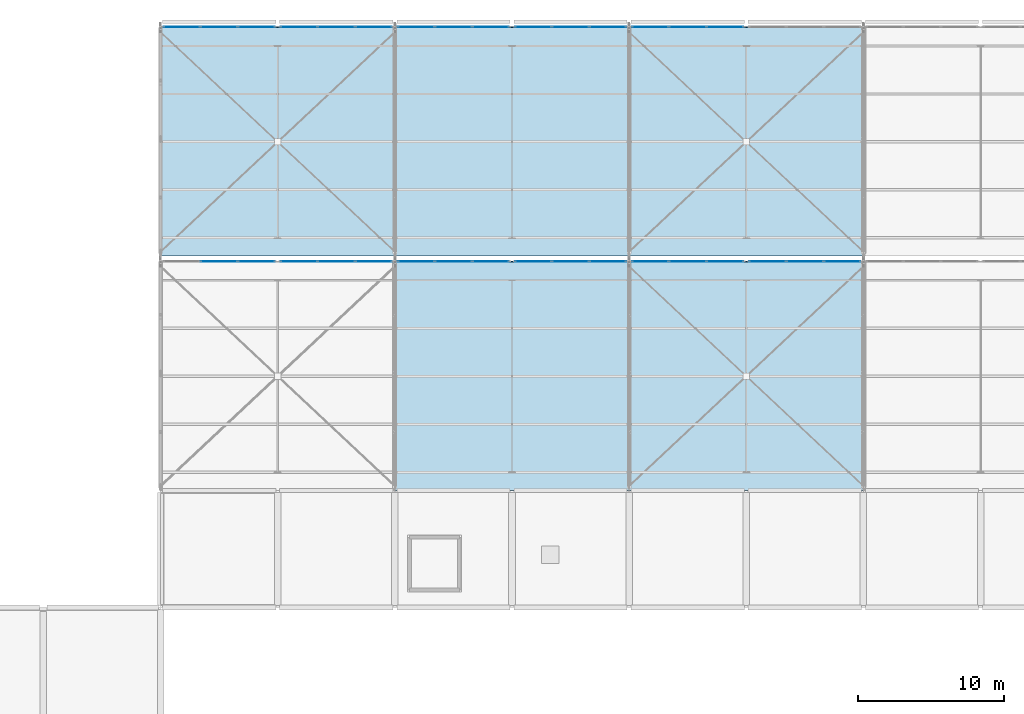
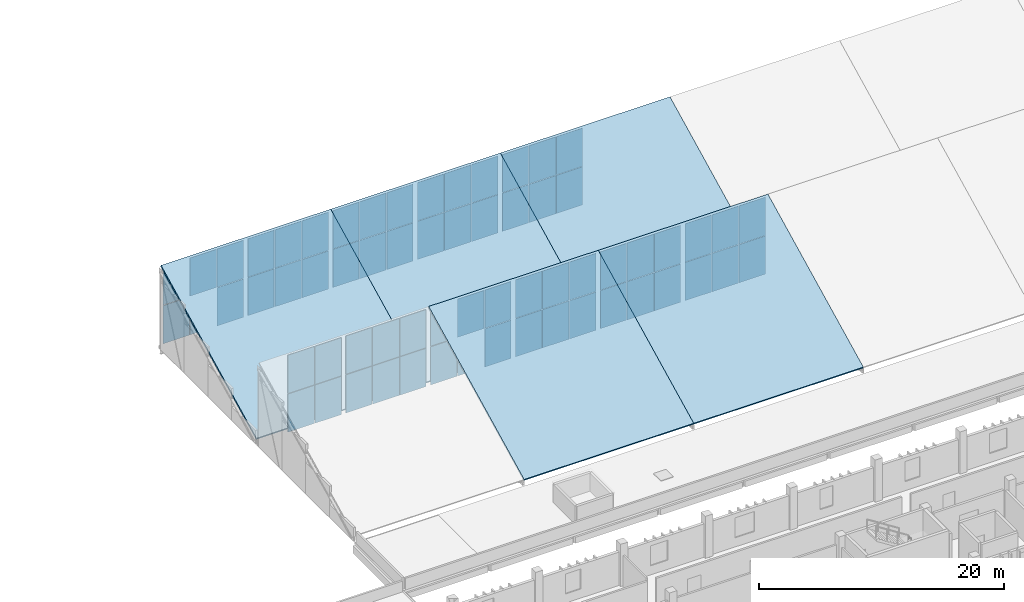
# One storey, part 94 of 137: 64 plates, 5 slabs, 11 elements without a shape of their own.
"""IFC4 building model written with IfcOpenShell, lengths in metres."""

from ifc_helpers import new_model, si_unit, direction, frame, origin, origin_2d, place, context, subcontext, project, spatial, polyline, rectangle, outline, extrude, material, layer, layer_set, type_object, element, aggregate, save


model = new_model("IFC4")

# Units and contexts
model_context = context("Model", 3, precision=1e-05, world=origin(), true_north=direction((0.0, 1.0)))
body_context = subcontext(model_context, "Body", "Model", "MODEL_VIEW")
ifc_project = project(units=[si_unit("LENGTHUNIT", "METRE"), si_unit("AREAUNIT", "SQUARE_METRE"), si_unit("VOLUMEUNIT", "CUBIC_METRE"), si_unit("PLANEANGLEUNIT", "RADIAN"), si_unit("MASSUNIT", "GRAM", prefix="KILO")], contexts=[model_context])

# Site, building, storey
site_placement = place(None, origin())
site = spatial("IfcSite", under=ifc_project, at=site_placement, CompositionType="ELEMENT")
building_placement = place(site_placement, origin())
building = spatial("IfcBuilding", under=site, at=building_placement, Name="Jelvoka-Kovrelna Polytechnic", CompositionType="ELEMENT")
storey_placement = place(building_placement, frame((0.0, 0.0, 9.60009765625)))
storey = spatial("IfcBuildingStorey", under=building, at=storey_placement, Name="L03", CompositionType="ELEMENT", Elevation=9.60009765625)

# Curtain wall, plates
ifc_material_1 = material(Name="Anodised aluminium 6063-T6", Category="aluminium")
ifc_layer_1 = layer(ifc_material_1, 0.199951171875)
ifc_layer_set_1 = layer_set([ifc_layer_1], Name="Anodised aluminium 6063-T6")
curtain_wall_type = type_object("IfcCurtainWallType", Name="CW_Clerestory", PredefinedType="NOTDEFINED", material=ifc_layer_set_1)
curtain_wall_1_placement = place(storey_placement, origin())
curtain_wall_1 = element("IfcCurtainWall", 1, at=curtain_wall_1_placement, inside=storey, type_object=curtain_wall_type, Name="L03 glazed curtain wall 183", PredefinedType="NOTDEFINED")
ifc_material_2 = material(Name="Solar-control double glazing", Category="glass")
ifc_layer_2 = layer(ifc_material_2, 0.035888671875)
ifc_layer_set_2 = layer_set([ifc_layer_2], Name="Solar-control double glazing")
plate_type = type_object("IfcPlateType", Name="Panel_GP-03", PredefinedType="CURTAIN_PANEL", material=ifc_layer_set_2)
plate_1_placement = place(storey_placement, frame((92.0, 103.64990234375, 0.511962890625), z_axis=(0.0, 0.0, 1.0), x_axis=(1.0, 0.0, 0.0)))
plate_1 = element("IfcPlate", 2, at=plate_1_placement, type_object=plate_type, Name="CW-03 panel 2.1", PredefinedType="CURTAIN_PANEL", context=body_context, shape_type="SweptSolid", body=[
    extrude(rectangle(XDim=2.5126953125, YDim=0.035888671875, at=origin_2d()), origin(), (0.0, 0.0, 1.0), 3.81103515625),
])
plate_2_placement = place(storey_placement, frame((92.0, 103.64990234375, 4.376953125), z_axis=(0.0, 0.0, 1.0), x_axis=(1.0, 0.0, 0.0)))
plate_2 = element("IfcPlate", 3, at=plate_2_placement, type_object=plate_type, Name="CW-03 panel 2.2", PredefinedType="CURTAIN_PANEL", context=body_context, shape_type="SweptSolid", body=[
    extrude(rectangle(XDim=2.5126953125, YDim=0.035888671875, at=origin_2d()), origin(), (0.0, 0.0, 1.0), 3.81103515625),
])
plate_3_placement = place(storey_placement, frame((94.549072265625, 103.64990234375, 0.511962890625), z_axis=(0.0, 0.0, 1.0), x_axis=(1.0, 0.0, 0.0)))
plate_3 = element("IfcPlate", 4, at=plate_3_placement, type_object=plate_type, Name="CW-03 panel 3.1", PredefinedType="CURTAIN_PANEL", context=body_context, shape_type="SweptSolid", body=[
    extrude(rectangle(XDim=2.477783203125, YDim=0.035888671875, at=origin_2d()), origin(), (0.0, 0.0, 1.0), 3.81103515625),
])
plate_4_placement = place(storey_placement, frame((94.549072265625, 103.64990234375, 4.376953125), z_axis=(0.0, 0.0, 1.0), x_axis=(1.0, 0.0, 0.0)))
plate_4 = element("IfcPlate", 5, at=plate_4_placement, type_object=plate_type, Name="CW-03 panel 3.2", PredefinedType="CURTAIN_PANEL", context=body_context, shape_type="SweptSolid", body=[
    extrude(rectangle(XDim=2.477783203125, YDim=0.035888671875, at=origin_2d()), origin(), (0.0, 0.0, 1.0), 3.81103515625),
])
aggregate(curtain_wall_1, [plate_1, plate_2, plate_3, plate_4])

curtain_wall_2_placement = place(storey_placement, origin())
curtain_wall_2 = element("IfcCurtainWall", 6, at=curtain_wall_2_placement, inside=storey, type_object=curtain_wall_type, Name="L03 glazed curtain wall 184", PredefinedType="NOTDEFINED")
plate_5_placement = place(storey_placement, frame((89.450927734375, 119.64990234375, 0.511962890625), z_axis=(0.0, 0.0, 1.0), x_axis=(1.0, 0.0, 0.0)))
plate_5 = element("IfcPlate", 7, at=plate_5_placement, type_object=plate_type, Name="CW-03 panel 1.1", PredefinedType="CURTAIN_PANEL", context=body_context, shape_type="SweptSolid", body=[
    extrude(rectangle(XDim=2.477783203125, YDim=0.035888671875, at=origin_2d()), origin(), (0.0, 0.0, 1.0), 3.81103515625),
])
plate_6_placement = place(storey_placement, frame((89.450927734375, 119.64990234375, 4.376953125), z_axis=(0.0, 0.0, 1.0), x_axis=(1.0, 0.0, 0.0)))
plate_6 = element("IfcPlate", 8, at=plate_6_placement, type_object=plate_type, Name="CW-03 panel 1.2", PredefinedType="CURTAIN_PANEL", context=body_context, shape_type="SweptSolid", body=[
    extrude(rectangle(XDim=2.477783203125, YDim=0.035888671875, at=origin_2d()), origin(), (0.0, 0.0, 1.0), 3.81103515625),
])
plate_7_placement = place(storey_placement, frame((92.0, 119.64990234375, 0.511962890625), z_axis=(0.0, 0.0, 1.0), x_axis=(1.0, 0.0, 0.0)))
plate_7 = element("IfcPlate", 9, at=plate_7_placement, type_object=plate_type, Name="CW-03 panel 2.1", PredefinedType="CURTAIN_PANEL", context=body_context, shape_type="SweptSolid", body=[
    extrude(rectangle(XDim=2.5126953125, YDim=0.035888671875, at=origin_2d()), origin(), (0.0, 0.0, 1.0), 3.81103515625),
])
plate_8_placement = place(storey_placement, frame((92.0, 119.64990234375, 4.376953125), z_axis=(0.0, 0.0, 1.0), x_axis=(1.0, 0.0, 0.0)))
plate_8 = element("IfcPlate", 10, at=plate_8_placement, type_object=plate_type, Name="CW-03 panel 2.2", PredefinedType="CURTAIN_PANEL", context=body_context, shape_type="SweptSolid", body=[
    extrude(rectangle(XDim=2.5126953125, YDim=0.035888671875, at=origin_2d()), origin(), (0.0, 0.0, 1.0), 3.81103515625),
])
plate_9_placement = place(storey_placement, frame((94.549072265625, 119.64990234375, 0.511962890625), z_axis=(0.0, 0.0, 1.0), x_axis=(1.0, 0.0, 0.0)))
plate_9 = element("IfcPlate", 11, at=plate_9_placement, type_object=plate_type, Name="CW-03 panel 3.1", PredefinedType="CURTAIN_PANEL", context=body_context, shape_type="SweptSolid", body=[
    extrude(rectangle(XDim=2.477783203125, YDim=0.035888671875, at=origin_2d()), origin(), (0.0, 0.0, 1.0), 3.81103515625),
])
plate_10_placement = place(storey_placement, frame((94.549072265625, 119.64990234375, 4.376953125), z_axis=(0.0, 0.0, 1.0), x_axis=(1.0, 0.0, 0.0)))
plate_10 = element("IfcPlate", 12, at=plate_10_placement, type_object=plate_type, Name="CW-03 panel 3.2", PredefinedType="CURTAIN_PANEL", context=body_context, shape_type="SweptSolid", body=[
    extrude(rectangle(XDim=2.477783203125, YDim=0.035888671875, at=origin_2d()), origin(), (0.0, 0.0, 1.0), 3.81103515625),
])
aggregate(curtain_wall_2, [plate_5, plate_6, plate_7, plate_8, plate_9, plate_10])

curtain_wall_3_placement = place(storey_placement, origin())
curtain_wall_3 = element("IfcCurtainWall", 13, at=curtain_wall_3_placement, inside=storey, type_object=curtain_wall_type, Name="L03 glazed curtain wall 185", PredefinedType="NOTDEFINED")
plate_11_placement = place(storey_placement, frame((97.450927734375, 103.64990234375, 0.511962890625), z_axis=(0.0, 0.0, 1.0), x_axis=(1.0, 0.0, 0.0)))
plate_11 = element("IfcPlate", 14, at=plate_11_placement, type_object=plate_type, Name="CW-03 panel 1.1", PredefinedType="CURTAIN_PANEL", context=body_context, shape_type="SweptSolid", body=[
    extrude(rectangle(XDim=2.477783203125, YDim=0.035888671875, at=origin_2d()), origin(), (0.0, 0.0, 1.0), 3.81103515625),
])
plate_12_placement = place(storey_placement, frame((97.450927734375, 103.64990234375, 4.376953125), z_axis=(0.0, 0.0, 1.0), x_axis=(1.0, 0.0, 0.0)))
plate_12 = element("IfcPlate", 15, at=plate_12_placement, type_object=plate_type, Name="CW-03 panel 1.2", PredefinedType="CURTAIN_PANEL", context=body_context, shape_type="SweptSolid", body=[
    extrude(rectangle(XDim=2.477783203125, YDim=0.035888671875, at=origin_2d()), origin(), (0.0, 0.0, 1.0), 3.81103515625),
])
plate_13_placement = place(storey_placement, frame((100.0, 103.64990234375, 0.511962890625), z_axis=(0.0, 0.0, 1.0), x_axis=(1.0, 0.0, 0.0)))
plate_13 = element("IfcPlate", 16, at=plate_13_placement, type_object=plate_type, Name="CW-03 panel 2.1", PredefinedType="CURTAIN_PANEL", context=body_context, shape_type="SweptSolid", body=[
    extrude(rectangle(XDim=2.5126953125, YDim=0.035888671875, at=origin_2d()), origin(), (0.0, 0.0, 1.0), 3.81103515625),
])
plate_14_placement = place(storey_placement, frame((100.0, 103.64990234375, 4.376953125), z_axis=(0.0, 0.0, 1.0), x_axis=(1.0, 0.0, 0.0)))
plate_14 = element("IfcPlate", 17, at=plate_14_placement, type_object=plate_type, Name="CW-03 panel 2.2", PredefinedType="CURTAIN_PANEL", context=body_context, shape_type="SweptSolid", body=[
    extrude(rectangle(XDim=2.5126953125, YDim=0.035888671875, at=origin_2d()), origin(), (0.0, 0.0, 1.0), 3.81103515625),
])
plate_15_placement = place(storey_placement, frame((102.549072265625, 103.64990234375, 0.511962890625), z_axis=(0.0, 0.0, 1.0), x_axis=(1.0, 0.0, 0.0)))
plate_15 = element("IfcPlate", 18, at=plate_15_placement, type_object=plate_type, Name="CW-03 panel 3.1", PredefinedType="CURTAIN_PANEL", context=body_context, shape_type="SweptSolid", body=[
    extrude(rectangle(XDim=2.477783203125, YDim=0.035888671875, at=origin_2d()), origin(), (0.0, 0.0, 1.0), 3.81103515625),
])
plate_16_placement = place(storey_placement, frame((102.549072265625, 103.64990234375, 4.376953125), z_axis=(0.0, 0.0, 1.0), x_axis=(1.0, 0.0, 0.0)))
plate_16 = element("IfcPlate", 19, at=plate_16_placement, type_object=plate_type, Name="CW-03 panel 3.2", PredefinedType="CURTAIN_PANEL", context=body_context, shape_type="SweptSolid", body=[
    extrude(rectangle(XDim=2.477783203125, YDim=0.035888671875, at=origin_2d()), origin(), (0.0, 0.0, 1.0), 3.81103515625),
])
aggregate(curtain_wall_3, [plate_11, plate_12, plate_13, plate_14, plate_15, plate_16])

curtain_wall_4_placement = place(storey_placement, origin())
curtain_wall_4 = element("IfcCurtainWall", 20, at=curtain_wall_4_placement, inside=storey, type_object=curtain_wall_type, Name="L03 glazed curtain wall 186", PredefinedType="NOTDEFINED")
plate_17_placement = place(storey_placement, frame((97.450927734375, 119.64990234375, 0.511962890625), z_axis=(0.0, 0.0, 1.0), x_axis=(1.0, 0.0, 0.0)))
plate_17 = element("IfcPlate", 21, at=plate_17_placement, type_object=plate_type, Name="CW-03 panel 1.1", PredefinedType="CURTAIN_PANEL", context=body_context, shape_type="SweptSolid", body=[
    extrude(rectangle(XDim=2.477783203125, YDim=0.035888671875, at=origin_2d()), origin(), (0.0, 0.0, 1.0), 3.81103515625),
])
plate_18_placement = place(storey_placement, frame((97.450927734375, 119.64990234375, 4.376953125), z_axis=(0.0, 0.0, 1.0), x_axis=(1.0, 0.0, 0.0)))
plate_18 = element("IfcPlate", 22, at=plate_18_placement, type_object=plate_type, Name="CW-03 panel 1.2", PredefinedType="CURTAIN_PANEL", context=body_context, shape_type="SweptSolid", body=[
    extrude(rectangle(XDim=2.477783203125, YDim=0.035888671875, at=origin_2d()), origin(), (0.0, 0.0, 1.0), 3.81103515625),
])
plate_19_placement = place(storey_placement, frame((100.0, 119.64990234375, 0.511962890625), z_axis=(0.0, 0.0, 1.0), x_axis=(1.0, 0.0, 0.0)))
plate_19 = element("IfcPlate", 23, at=plate_19_placement, type_object=plate_type, Name="CW-03 panel 2.1", PredefinedType="CURTAIN_PANEL", context=body_context, shape_type="SweptSolid", body=[
    extrude(rectangle(XDim=2.5126953125, YDim=0.035888671875, at=origin_2d()), origin(), (0.0, 0.0, 1.0), 3.81103515625),
])
plate_20_placement = place(storey_placement, frame((100.0, 119.64990234375, 4.376953125), z_axis=(0.0, 0.0, 1.0), x_axis=(1.0, 0.0, 0.0)))
plate_20 = element("IfcPlate", 24, at=plate_20_placement, type_object=plate_type, Name="CW-03 panel 2.2", PredefinedType="CURTAIN_PANEL", context=body_context, shape_type="SweptSolid", body=[
    extrude(rectangle(XDim=2.5126953125, YDim=0.035888671875, at=origin_2d()), origin(), (0.0, 0.0, 1.0), 3.81103515625),
])
plate_21_placement = place(storey_placement, frame((102.549072265625, 119.64990234375, 0.511962890625), z_axis=(0.0, 0.0, 1.0), x_axis=(1.0, 0.0, 0.0)))
plate_21 = element("IfcPlate", 25, at=plate_21_placement, type_object=plate_type, Name="CW-03 panel 3.1", PredefinedType="CURTAIN_PANEL", context=body_context, shape_type="SweptSolid", body=[
    extrude(rectangle(XDim=2.477783203125, YDim=0.035888671875, at=origin_2d()), origin(), (0.0, 0.0, 1.0), 3.81103515625),
])
plate_22_placement = place(storey_placement, frame((102.549072265625, 119.64990234375, 4.376953125), z_axis=(0.0, 0.0, 1.0), x_axis=(1.0, 0.0, 0.0)))
plate_22 = element("IfcPlate", 26, at=plate_22_placement, type_object=plate_type, Name="CW-03 panel 3.2", PredefinedType="CURTAIN_PANEL", context=body_context, shape_type="SweptSolid", body=[
    extrude(rectangle(XDim=2.477783203125, YDim=0.035888671875, at=origin_2d()), origin(), (0.0, 0.0, 1.0), 3.81103515625),
])
aggregate(curtain_wall_4, [plate_17, plate_18, plate_19, plate_20, plate_21, plate_22])

curtain_wall_5_placement = place(storey_placement, origin())
curtain_wall_5 = element("IfcCurtainWall", 27, at=curtain_wall_5_placement, inside=storey, type_object=curtain_wall_type, Name="L03 glazed curtain wall 187", PredefinedType="NOTDEFINED")
plate_23_placement = place(storey_placement, frame((105.450927734375, 103.64990234375, 0.511962890625), z_axis=(0.0, 0.0, 1.0), x_axis=(1.0, 0.0, 0.0)))
plate_23 = element("IfcPlate", 28, at=plate_23_placement, type_object=plate_type, Name="CW-03 panel 1.1", PredefinedType="CURTAIN_PANEL", context=body_context, shape_type="SweptSolid", body=[
    extrude(rectangle(XDim=2.477783203125, YDim=0.035888671875, at=origin_2d()), origin(), (0.0, 0.0, 1.0), 3.81103515625),
])
plate_24_placement = place(storey_placement, frame((105.450927734375, 103.64990234375, 4.376953125), z_axis=(0.0, 0.0, 1.0), x_axis=(1.0, 0.0, 0.0)))
plate_24 = element("IfcPlate", 29, at=plate_24_placement, type_object=plate_type, Name="CW-03 panel 1.2", PredefinedType="CURTAIN_PANEL", context=body_context, shape_type="SweptSolid", body=[
    extrude(rectangle(XDim=2.477783203125, YDim=0.035888671875, at=origin_2d()), origin(), (0.0, 0.0, 1.0), 3.81103515625),
])
plate_25_placement = place(storey_placement, frame((108.0, 103.64990234375, 0.511962890625), z_axis=(0.0, 0.0, 1.0), x_axis=(1.0, 0.0, 0.0)))
plate_25 = element("IfcPlate", 30, at=plate_25_placement, type_object=plate_type, Name="CW-03 panel 2.1", PredefinedType="CURTAIN_PANEL", context=body_context, shape_type="SweptSolid", body=[
    extrude(rectangle(XDim=2.5126953125, YDim=0.035888671875, at=origin_2d()), origin(), (0.0, 0.0, 1.0), 3.81103515625),
])
plate_26_placement = place(storey_placement, frame((108.0, 103.64990234375, 4.376953125), z_axis=(0.0, 0.0, 1.0), x_axis=(1.0, 0.0, 0.0)))
plate_26 = element("IfcPlate", 31, at=plate_26_placement, type_object=plate_type, Name="CW-03 panel 2.2", PredefinedType="CURTAIN_PANEL", context=body_context, shape_type="SweptSolid", body=[
    extrude(rectangle(XDim=2.5126953125, YDim=0.035888671875, at=origin_2d()), origin(), (0.0, 0.0, 1.0), 3.81103515625),
])
plate_27_placement = place(storey_placement, frame((110.549072265625, 103.64990234375, 0.511962890625), z_axis=(0.0, 0.0, 1.0), x_axis=(1.0, 0.0, 0.0)))
plate_27 = element("IfcPlate", 32, at=plate_27_placement, type_object=plate_type, Name="CW-03 panel 3.1", PredefinedType="CURTAIN_PANEL", context=body_context, shape_type="SweptSolid", body=[
    extrude(rectangle(XDim=2.477783203125, YDim=0.035888671875, at=origin_2d()), origin(), (0.0, 0.0, 1.0), 3.81103515625),
])
plate_28_placement = place(storey_placement, frame((110.549072265625, 103.64990234375, 4.376953125), z_axis=(0.0, 0.0, 1.0), x_axis=(1.0, 0.0, 0.0)))
plate_28 = element("IfcPlate", 33, at=plate_28_placement, type_object=plate_type, Name="CW-03 panel 3.2", PredefinedType="CURTAIN_PANEL", context=body_context, shape_type="SweptSolid", body=[
    extrude(rectangle(XDim=2.477783203125, YDim=0.035888671875, at=origin_2d()), origin(), (0.0, 0.0, 1.0), 3.81103515625),
])
aggregate(curtain_wall_5, [plate_23, plate_24, plate_25, plate_26, plate_27, plate_28])

curtain_wall_6_placement = place(storey_placement, origin())
curtain_wall_6 = element("IfcCurtainWall", 34, at=curtain_wall_6_placement, inside=storey, type_object=curtain_wall_type, Name="L03 glazed curtain wall 188", PredefinedType="NOTDEFINED")
plate_29_placement = place(storey_placement, frame((105.450927734375, 119.64990234375, 0.511962890625), z_axis=(0.0, 0.0, 1.0), x_axis=(1.0, 0.0, 0.0)))
plate_29 = element("IfcPlate", 35, at=plate_29_placement, type_object=plate_type, Name="CW-03 panel 1.1", PredefinedType="CURTAIN_PANEL", context=body_context, shape_type="SweptSolid", body=[
    extrude(rectangle(XDim=2.477783203125, YDim=0.035888671875, at=origin_2d()), origin(), (0.0, 0.0, 1.0), 3.81103515625),
])
plate_30_placement = place(storey_placement, frame((105.450927734375, 119.64990234375, 4.376953125), z_axis=(0.0, 0.0, 1.0), x_axis=(1.0, 0.0, 0.0)))
plate_30 = element("IfcPlate", 36, at=plate_30_placement, type_object=plate_type, Name="CW-03 panel 1.2", PredefinedType="CURTAIN_PANEL", context=body_context, shape_type="SweptSolid", body=[
    extrude(rectangle(XDim=2.477783203125, YDim=0.035888671875, at=origin_2d()), origin(), (0.0, 0.0, 1.0), 3.81103515625),
])
plate_31_placement = place(storey_placement, frame((108.0, 119.64990234375, 0.511962890625), z_axis=(0.0, 0.0, 1.0), x_axis=(1.0, 0.0, 0.0)))
plate_31 = element("IfcPlate", 37, at=plate_31_placement, type_object=plate_type, Name="CW-03 panel 2.1", PredefinedType="CURTAIN_PANEL", context=body_context, shape_type="SweptSolid", body=[
    extrude(rectangle(XDim=2.5126953125, YDim=0.035888671875, at=origin_2d()), origin(), (0.0, 0.0, 1.0), 3.81103515625),
])
plate_32_placement = place(storey_placement, frame((108.0, 119.64990234375, 4.376953125), z_axis=(0.0, 0.0, 1.0), x_axis=(1.0, 0.0, 0.0)))
plate_32 = element("IfcPlate", 38, at=plate_32_placement, type_object=plate_type, Name="CW-03 panel 2.2", PredefinedType="CURTAIN_PANEL", context=body_context, shape_type="SweptSolid", body=[
    extrude(rectangle(XDim=2.5126953125, YDim=0.035888671875, at=origin_2d()), origin(), (0.0, 0.0, 1.0), 3.81103515625),
])
plate_33_placement = place(storey_placement, frame((110.549072265625, 119.64990234375, 0.511962890625), z_axis=(0.0, 0.0, 1.0), x_axis=(1.0, 0.0, 0.0)))
plate_33 = element("IfcPlate", 39, at=plate_33_placement, type_object=plate_type, Name="CW-03 panel 3.1", PredefinedType="CURTAIN_PANEL", context=body_context, shape_type="SweptSolid", body=[
    extrude(rectangle(XDim=2.477783203125, YDim=0.035888671875, at=origin_2d()), origin(), (0.0, 0.0, 1.0), 3.81103515625),
])
plate_34_placement = place(storey_placement, frame((110.549072265625, 119.64990234375, 4.376953125), z_axis=(0.0, 0.0, 1.0), x_axis=(1.0, 0.0, 0.0)))
plate_34 = element("IfcPlate", 40, at=plate_34_placement, type_object=plate_type, Name="CW-03 panel 3.2", PredefinedType="CURTAIN_PANEL", context=body_context, shape_type="SweptSolid", body=[
    extrude(rectangle(XDim=2.477783203125, YDim=0.035888671875, at=origin_2d()), origin(), (0.0, 0.0, 1.0), 3.81103515625),
])
aggregate(curtain_wall_6, [plate_29, plate_30, plate_31, plate_32, plate_33, plate_34])

curtain_wall_7_placement = place(storey_placement, origin())
curtain_wall_7 = element("IfcCurtainWall", 41, at=curtain_wall_7_placement, inside=storey, type_object=curtain_wall_type, Name="L03 glazed curtain wall 189", PredefinedType="NOTDEFINED")
plate_35_placement = place(storey_placement, frame((113.450927734375, 103.64990234375, 0.511962890625), z_axis=(0.0, 0.0, 1.0), x_axis=(1.0, 0.0, 0.0)))
plate_35 = element("IfcPlate", 42, at=plate_35_placement, type_object=plate_type, Name="CW-03 panel 1.1", PredefinedType="CURTAIN_PANEL", context=body_context, shape_type="SweptSolid", body=[
    extrude(rectangle(XDim=2.477783203125, YDim=0.035888671875, at=origin_2d()), origin(), (0.0, 0.0, 1.0), 3.81103515625),
])
plate_36_placement = place(storey_placement, frame((113.450927734375, 103.64990234375, 4.376953125), z_axis=(0.0, 0.0, 1.0), x_axis=(1.0, 0.0, 0.0)))
plate_36 = element("IfcPlate", 43, at=plate_36_placement, type_object=plate_type, Name="CW-03 panel 1.2", PredefinedType="CURTAIN_PANEL", context=body_context, shape_type="SweptSolid", body=[
    extrude(rectangle(XDim=2.477783203125, YDim=0.035888671875, at=origin_2d()), origin(), (0.0, 0.0, 1.0), 3.81103515625),
])
plate_37_placement = place(storey_placement, frame((116.0, 103.64990234375, 0.511962890625), z_axis=(0.0, 0.0, 1.0), x_axis=(1.0, 0.0, 0.0)))
plate_37 = element("IfcPlate", 44, at=plate_37_placement, type_object=plate_type, Name="CW-03 panel 2.1", PredefinedType="CURTAIN_PANEL", context=body_context, shape_type="SweptSolid", body=[
    extrude(rectangle(XDim=2.5126953125, YDim=0.035888671875, at=origin_2d()), origin(), (0.0, 0.0, 1.0), 3.81103515625),
])
plate_38_placement = place(storey_placement, frame((116.0, 103.64990234375, 4.376953125), z_axis=(0.0, 0.0, 1.0), x_axis=(1.0, 0.0, 0.0)))
plate_38 = element("IfcPlate", 45, at=plate_38_placement, type_object=plate_type, Name="CW-03 panel 2.2", PredefinedType="CURTAIN_PANEL", context=body_context, shape_type="SweptSolid", body=[
    extrude(rectangle(XDim=2.5126953125, YDim=0.035888671875, at=origin_2d()), origin(), (0.0, 0.0, 1.0), 3.81103515625),
])
plate_39_placement = place(storey_placement, frame((118.549072265625, 103.64990234375, 0.511962890625), z_axis=(0.0, 0.0, 1.0), x_axis=(1.0, 0.0, 0.0)))
plate_39 = element("IfcPlate", 46, at=plate_39_placement, type_object=plate_type, Name="CW-03 panel 3.1", PredefinedType="CURTAIN_PANEL", context=body_context, shape_type="SweptSolid", body=[
    extrude(rectangle(XDim=2.477783203125, YDim=0.035888671875, at=origin_2d()), origin(), (0.0, 0.0, 1.0), 3.81103515625),
])
plate_40_placement = place(storey_placement, frame((118.549072265625, 103.64990234375, 4.376953125), z_axis=(0.0, 0.0, 1.0), x_axis=(1.0, 0.0, 0.0)))
plate_40 = element("IfcPlate", 47, at=plate_40_placement, type_object=plate_type, Name="CW-03 panel 3.2", PredefinedType="CURTAIN_PANEL", context=body_context, shape_type="SweptSolid", body=[
    extrude(rectangle(XDim=2.477783203125, YDim=0.035888671875, at=origin_2d()), origin(), (0.0, 0.0, 1.0), 3.81103515625),
])
aggregate(curtain_wall_7, [plate_35, plate_36, plate_37, plate_38, plate_39, plate_40])

curtain_wall_8_placement = place(storey_placement, origin())
curtain_wall_8 = element("IfcCurtainWall", 48, at=curtain_wall_8_placement, inside=storey, type_object=curtain_wall_type, Name="L03 glazed curtain wall 190", PredefinedType="NOTDEFINED")
plate_41_placement = place(storey_placement, frame((113.450927734375, 119.64990234375, 0.511962890625), z_axis=(0.0, 0.0, 1.0), x_axis=(1.0, 0.0, 0.0)))
plate_41 = element("IfcPlate", 49, at=plate_41_placement, type_object=plate_type, Name="CW-03 panel 1.1", PredefinedType="CURTAIN_PANEL", context=body_context, shape_type="SweptSolid", body=[
    extrude(rectangle(XDim=2.477783203125, YDim=0.035888671875, at=origin_2d()), origin(), (0.0, 0.0, 1.0), 3.81103515625),
])
plate_42_placement = place(storey_placement, frame((113.450927734375, 119.64990234375, 4.376953125), z_axis=(0.0, 0.0, 1.0), x_axis=(1.0, 0.0, 0.0)))
plate_42 = element("IfcPlate", 50, at=plate_42_placement, type_object=plate_type, Name="CW-03 panel 1.2", PredefinedType="CURTAIN_PANEL", context=body_context, shape_type="SweptSolid", body=[
    extrude(rectangle(XDim=2.477783203125, YDim=0.035888671875, at=origin_2d()), origin(), (0.0, 0.0, 1.0), 3.81103515625),
])
plate_43_placement = place(storey_placement, frame((116.0, 119.64990234375, 0.511962890625), z_axis=(0.0, 0.0, 1.0), x_axis=(1.0, 0.0, 0.0)))
plate_43 = element("IfcPlate", 51, at=plate_43_placement, type_object=plate_type, Name="CW-03 panel 2.1", PredefinedType="CURTAIN_PANEL", context=body_context, shape_type="SweptSolid", body=[
    extrude(rectangle(XDim=2.5126953125, YDim=0.035888671875, at=origin_2d()), origin(), (0.0, 0.0, 1.0), 3.81103515625),
])
plate_44_placement = place(storey_placement, frame((116.0, 119.64990234375, 4.376953125), z_axis=(0.0, 0.0, 1.0), x_axis=(1.0, 0.0, 0.0)))
plate_44 = element("IfcPlate", 52, at=plate_44_placement, type_object=plate_type, Name="CW-03 panel 2.2", PredefinedType="CURTAIN_PANEL", context=body_context, shape_type="SweptSolid", body=[
    extrude(rectangle(XDim=2.5126953125, YDim=0.035888671875, at=origin_2d()), origin(), (0.0, 0.0, 1.0), 3.81103515625),
])
plate_45_placement = place(storey_placement, frame((118.549072265625, 119.64990234375, 0.511962890625), z_axis=(0.0, 0.0, 1.0), x_axis=(1.0, 0.0, 0.0)))
plate_45 = element("IfcPlate", 53, at=plate_45_placement, type_object=plate_type, Name="CW-03 panel 3.1", PredefinedType="CURTAIN_PANEL", context=body_context, shape_type="SweptSolid", body=[
    extrude(rectangle(XDim=2.477783203125, YDim=0.035888671875, at=origin_2d()), origin(), (0.0, 0.0, 1.0), 3.81103515625),
])
plate_46_placement = place(storey_placement, frame((118.549072265625, 119.64990234375, 4.376953125), z_axis=(0.0, 0.0, 1.0), x_axis=(1.0, 0.0, 0.0)))
plate_46 = element("IfcPlate", 54, at=plate_46_placement, type_object=plate_type, Name="CW-03 panel 3.2", PredefinedType="CURTAIN_PANEL", context=body_context, shape_type="SweptSolid", body=[
    extrude(rectangle(XDim=2.477783203125, YDim=0.035888671875, at=origin_2d()), origin(), (0.0, 0.0, 1.0), 3.81103515625),
])
aggregate(curtain_wall_8, [plate_41, plate_42, plate_43, plate_44, plate_45, plate_46])

curtain_wall_9_placement = place(storey_placement, origin())
curtain_wall_9 = element("IfcCurtainWall", 55, at=curtain_wall_9_placement, inside=storey, type_object=curtain_wall_type, Name="L03 glazed curtain wall 191", PredefinedType="NOTDEFINED")
plate_47_placement = place(storey_placement, frame((121.450927734375, 103.64990234375, 0.511962890625), z_axis=(0.0, 0.0, 1.0), x_axis=(1.0, 0.0, 0.0)))
plate_47 = element("IfcPlate", 56, at=plate_47_placement, type_object=plate_type, Name="CW-03 panel 1.1", PredefinedType="CURTAIN_PANEL", context=body_context, shape_type="SweptSolid", body=[
    extrude(rectangle(XDim=2.477783203125, YDim=0.035888671875, at=origin_2d()), origin(), (0.0, 0.0, 1.0), 3.81103515625),
])
plate_48_placement = place(storey_placement, frame((121.450927734375, 103.64990234375, 4.376953125), z_axis=(0.0, 0.0, 1.0), x_axis=(1.0, 0.0, 0.0)))
plate_48 = element("IfcPlate", 57, at=plate_48_placement, type_object=plate_type, Name="CW-03 panel 1.2", PredefinedType="CURTAIN_PANEL", context=body_context, shape_type="SweptSolid", body=[
    extrude(rectangle(XDim=2.477783203125, YDim=0.035888671875, at=origin_2d()), origin(), (0.0, 0.0, 1.0), 3.81103515625),
])
plate_49_placement = place(storey_placement, frame((124.0, 103.64990234375, 0.511962890625), z_axis=(0.0, 0.0, 1.0), x_axis=(1.0, 0.0, 0.0)))
plate_49 = element("IfcPlate", 58, at=plate_49_placement, type_object=plate_type, Name="CW-03 panel 2.1", PredefinedType="CURTAIN_PANEL", context=body_context, shape_type="SweptSolid", body=[
    extrude(rectangle(XDim=2.5126953125, YDim=0.035888671875, at=origin_2d()), origin(), (0.0, 0.0, 1.0), 3.81103515625),
])
plate_50_placement = place(storey_placement, frame((124.0, 103.64990234375, 4.376953125), z_axis=(0.0, 0.0, 1.0), x_axis=(1.0, 0.0, 0.0)))
plate_50 = element("IfcPlate", 59, at=plate_50_placement, type_object=plate_type, Name="CW-03 panel 2.2", PredefinedType="CURTAIN_PANEL", context=body_context, shape_type="SweptSolid", body=[
    extrude(rectangle(XDim=2.5126953125, YDim=0.035888671875, at=origin_2d()), origin(), (0.0, 0.0, 1.0), 3.81103515625),
])
plate_51_placement = place(storey_placement, frame((126.549072265625, 103.64990234375, 0.511962890625), z_axis=(0.0, 0.0, 1.0), x_axis=(1.0, 0.0, 0.0)))
plate_51 = element("IfcPlate", 60, at=plate_51_placement, type_object=plate_type, Name="CW-03 panel 3.1", PredefinedType="CURTAIN_PANEL", context=body_context, shape_type="SweptSolid", body=[
    extrude(rectangle(XDim=2.477783203125, YDim=0.035888671875, at=origin_2d()), origin(), (0.0, 0.0, 1.0), 3.81103515625),
])
plate_52_placement = place(storey_placement, frame((126.549072265625, 103.64990234375, 4.376953125), z_axis=(0.0, 0.0, 1.0), x_axis=(1.0, 0.0, 0.0)))
plate_52 = element("IfcPlate", 61, at=plate_52_placement, type_object=plate_type, Name="CW-03 panel 3.2", PredefinedType="CURTAIN_PANEL", context=body_context, shape_type="SweptSolid", body=[
    extrude(rectangle(XDim=2.477783203125, YDim=0.035888671875, at=origin_2d()), origin(), (0.0, 0.0, 1.0), 3.81103515625),
])
aggregate(curtain_wall_9, [plate_47, plate_48, plate_49, plate_50, plate_51, plate_52])

curtain_wall_10_placement = place(storey_placement, origin())
curtain_wall_10 = element("IfcCurtainWall", 62, at=curtain_wall_10_placement, inside=storey, type_object=curtain_wall_type, Name="L03 glazed curtain wall 192", PredefinedType="NOTDEFINED")
plate_53_placement = place(storey_placement, frame((121.450927734375, 119.64990234375, 0.511962890625), z_axis=(0.0, 0.0, 1.0), x_axis=(1.0, 0.0, 0.0)))
plate_53 = element("IfcPlate", 63, at=plate_53_placement, type_object=plate_type, Name="CW-03 panel 1.1", PredefinedType="CURTAIN_PANEL", context=body_context, shape_type="SweptSolid", body=[
    extrude(rectangle(XDim=2.477783203125, YDim=0.035888671875, at=origin_2d()), origin(), (0.0, 0.0, 1.0), 3.81103515625),
])
plate_54_placement = place(storey_placement, frame((121.450927734375, 119.64990234375, 4.376953125), z_axis=(0.0, 0.0, 1.0), x_axis=(1.0, 0.0, 0.0)))
plate_54 = element("IfcPlate", 64, at=plate_54_placement, type_object=plate_type, Name="CW-03 panel 1.2", PredefinedType="CURTAIN_PANEL", context=body_context, shape_type="SweptSolid", body=[
    extrude(rectangle(XDim=2.477783203125, YDim=0.035888671875, at=origin_2d()), origin(), (0.0, 0.0, 1.0), 3.81103515625),
])
plate_55_placement = place(storey_placement, frame((124.0, 119.64990234375, 0.511962890625), z_axis=(0.0, 0.0, 1.0), x_axis=(1.0, 0.0, 0.0)))
plate_55 = element("IfcPlate", 65, at=plate_55_placement, type_object=plate_type, Name="CW-03 panel 2.1", PredefinedType="CURTAIN_PANEL", context=body_context, shape_type="SweptSolid", body=[
    extrude(rectangle(XDim=2.5126953125, YDim=0.035888671875, at=origin_2d()), origin(), (0.0, 0.0, 1.0), 3.81103515625),
])
plate_56_placement = place(storey_placement, frame((124.0, 119.64990234375, 4.376953125), z_axis=(0.0, 0.0, 1.0), x_axis=(1.0, 0.0, 0.0)))
plate_56 = element("IfcPlate", 66, at=plate_56_placement, type_object=plate_type, Name="CW-03 panel 2.2", PredefinedType="CURTAIN_PANEL", context=body_context, shape_type="SweptSolid", body=[
    extrude(rectangle(XDim=2.5126953125, YDim=0.035888671875, at=origin_2d()), origin(), (0.0, 0.0, 1.0), 3.81103515625),
])
plate_57_placement = place(storey_placement, frame((126.549072265625, 119.64990234375, 0.511962890625), z_axis=(0.0, 0.0, 1.0), x_axis=(1.0, 0.0, 0.0)))
plate_57 = element("IfcPlate", 67, at=plate_57_placement, type_object=plate_type, Name="CW-03 panel 3.1", PredefinedType="CURTAIN_PANEL", context=body_context, shape_type="SweptSolid", body=[
    extrude(rectangle(XDim=2.477783203125, YDim=0.035888671875, at=origin_2d()), origin(), (0.0, 0.0, 1.0), 3.81103515625),
])
plate_58_placement = place(storey_placement, frame((126.549072265625, 119.64990234375, 4.376953125), z_axis=(0.0, 0.0, 1.0), x_axis=(1.0, 0.0, 0.0)))
plate_58 = element("IfcPlate", 68, at=plate_58_placement, type_object=plate_type, Name="CW-03 panel 3.2", PredefinedType="CURTAIN_PANEL", context=body_context, shape_type="SweptSolid", body=[
    extrude(rectangle(XDim=2.477783203125, YDim=0.035888671875, at=origin_2d()), origin(), (0.0, 0.0, 1.0), 3.81103515625),
])
aggregate(curtain_wall_10, [plate_53, plate_54, plate_55, plate_56, plate_57, plate_58])

curtain_wall_11_placement = place(storey_placement, origin())
curtain_wall_11 = element("IfcCurtainWall", 69, at=curtain_wall_11_placement, inside=storey, type_object=curtain_wall_type, Name="L03 glazed curtain wall 193", PredefinedType="NOTDEFINED")
plate_59_placement = place(storey_placement, frame((129.450927734375, 103.64990234375, 0.511962890625), z_axis=(0.0, 0.0, 1.0), x_axis=(1.0, 0.0, 0.0)))
plate_59 = element("IfcPlate", 70, at=plate_59_placement, type_object=plate_type, Name="CW-03 panel 1.1", PredefinedType="CURTAIN_PANEL", context=body_context, shape_type="SweptSolid", body=[
    extrude(rectangle(XDim=2.477783203125, YDim=0.035888671875, at=origin_2d()), origin(), (0.0, 0.0, 1.0), 3.81103515625),
])
plate_60_placement = place(storey_placement, frame((129.450927734375, 103.64990234375, 4.376953125), z_axis=(0.0, 0.0, 1.0), x_axis=(1.0, 0.0, 0.0)))
plate_60 = element("IfcPlate", 71, at=plate_60_placement, type_object=plate_type, Name="CW-03 panel 1.2", PredefinedType="CURTAIN_PANEL", context=body_context, shape_type="SweptSolid", body=[
    extrude(rectangle(XDim=2.477783203125, YDim=0.035888671875, at=origin_2d()), origin(), (0.0, 0.0, 1.0), 3.81103515625),
])
plate_61_placement = place(storey_placement, frame((132.0, 103.64990234375, 0.511962890625), z_axis=(0.0, 0.0, 1.0), x_axis=(1.0, 0.0, 0.0)))
plate_61 = element("IfcPlate", 72, at=plate_61_placement, type_object=plate_type, Name="CW-03 panel 2.1", PredefinedType="CURTAIN_PANEL", context=body_context, shape_type="SweptSolid", body=[
    extrude(rectangle(XDim=2.5126953125, YDim=0.035888671875, at=origin_2d()), origin(), (0.0, 0.0, 1.0), 3.81103515625),
])
plate_62_placement = place(storey_placement, frame((132.0, 103.64990234375, 4.376953125), z_axis=(0.0, 0.0, 1.0), x_axis=(1.0, 0.0, 0.0)))
plate_62 = element("IfcPlate", 73, at=plate_62_placement, type_object=plate_type, Name="CW-03 panel 2.2", PredefinedType="CURTAIN_PANEL", context=body_context, shape_type="SweptSolid", body=[
    extrude(rectangle(XDim=2.5126953125, YDim=0.035888671875, at=origin_2d()), origin(), (0.0, 0.0, 1.0), 3.81103515625),
])
plate_63_placement = place(storey_placement, frame((134.549072265625, 103.64990234375, 0.511962890625), z_axis=(0.0, 0.0, 1.0), x_axis=(1.0, 0.0, 0.0)))
plate_63 = element("IfcPlate", 74, at=plate_63_placement, type_object=plate_type, Name="CW-03 panel 3.1", PredefinedType="CURTAIN_PANEL", context=body_context, shape_type="SweptSolid", body=[
    extrude(rectangle(XDim=2.477783203125, YDim=0.035888671875, at=origin_2d()), origin(), (0.0, 0.0, 1.0), 3.81103515625),
])
plate_64_placement = place(storey_placement, frame((134.549072265625, 103.64990234375, 4.376953125), z_axis=(0.0, 0.0, 1.0), x_axis=(1.0, 0.0, 0.0)))
plate_64 = element("IfcPlate", 75, at=plate_64_placement, type_object=plate_type, Name="CW-03 panel 3.2", PredefinedType="CURTAIN_PANEL", context=body_context, shape_type="SweptSolid", body=[
    extrude(rectangle(XDim=2.477783203125, YDim=0.035888671875, at=origin_2d()), origin(), (0.0, 0.0, 1.0), 3.81103515625),
])
aggregate(curtain_wall_11, [plate_59, plate_60, plate_61, plate_62, plate_63, plate_64])

# Slabs
ifc_material_3 = material(Name="Precast concrete C40/50", Category="concrete")
ifc_layer_3 = layer(ifc_material_3, 0.179931640625)
ifc_layer_set_3 = layer_set([ifc_layer_3], Name="Precast concrete C40/50")
slab_type = type_object("IfcSlabType", Name="Slab_Roof_Sawtooth_180", PredefinedType="ROOF", material=ifc_layer_set_3)
for number, where, z_axis, x_axis, name in (
    (76, (88.0, 104.0, 0.639892578125), (0.0, -0.4472135955, 0.894427191), (1.0, 0.0, 0.0), "V1 sawtooth south roof deck bay 1.2"),
    (77, (104.0, 88.0, 0.639892578125), (0.0, -0.4472135955, 0.894427191), (1.0, 0.0, 0.0), "V1 sawtooth south roof deck bay 2.1"),
    (78, (104.0, 104.0, 0.639892578125), (0.0, -0.4472135955, 0.894427191), (1.0, 0.0, 0.0), "V1 sawtooth south roof deck bay 2.2"),
    (79, (120.0, 88.0, 0.639892578125), (0.0, -0.4472135955, 0.894427191), (1.0, 0.0, 0.0), "V1 sawtooth south roof deck bay 3.1"),
    (80, (120.0, 104.0, 0.639892578125), (0.0, -0.4472135955, 0.894427191), (1.0, 0.0, 0.0), "V1 sawtooth south roof deck bay 3.2"),
):
    element("IfcSlab", number, at=place(storey_placement, frame(where, z_axis=z_axis, x_axis=x_axis)), inside=storey, type_object=slab_type, Name=name, PredefinedType="ROOF", context=body_context, shape_type="SweptSolid", body=[
        extrude(outline(polyline([(0.0, 0.0), (16.0, 0.0), (16.0, 17.441439407505076), (0.0, 17.441439407505076), (0.0, 0.0)])), origin(), (0.0, 0.0, -1.0), 0.179931640625),
    ])

save(model, "model.ifc")
